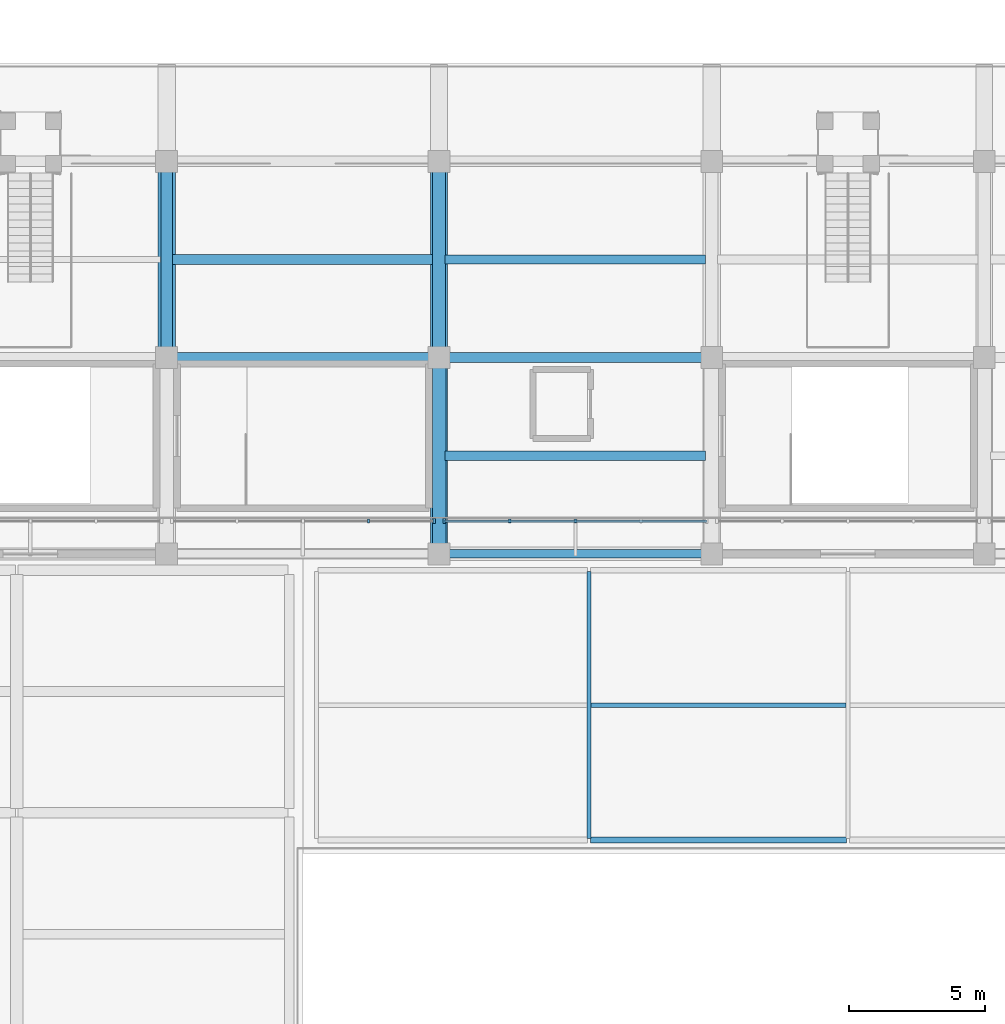
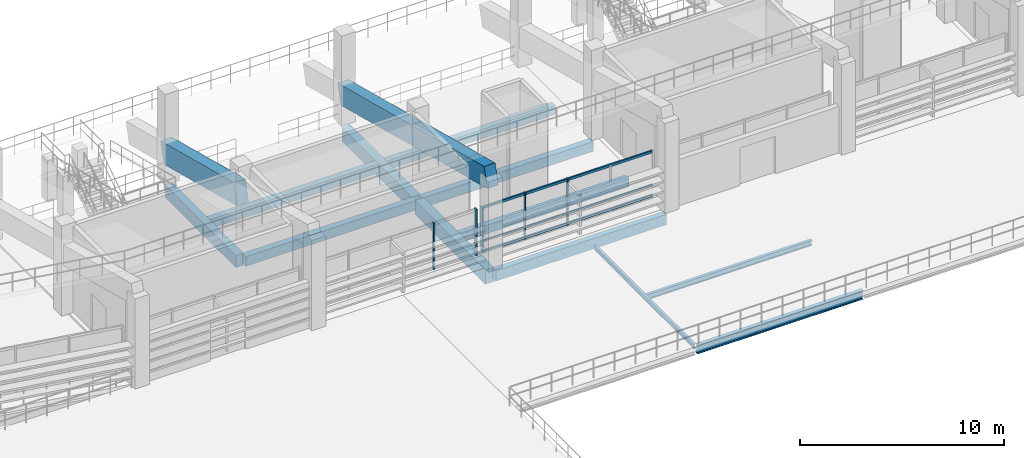
# One storey, part 14 of 96: 15 beams, 8 members, 2 elements without a shape of their own.
"""IFC4 building model written with IfcOpenShell, lengths in metres."""

from ifc_helpers import new_model, si_unit, direction, frame, origin, origin_2d, place, context, subcontext, project, spatial, rectangle, i_section, extrude, material, material_profile, profile_set, type_object, element, aggregate, save


model = new_model("IFC4")

# Units and contexts
model_context = context("Model", 3, precision=1e-05, world=origin(), true_north=direction((0.0, 1.0)))
body_context = subcontext(model_context, "Body", "Model", "MODEL_VIEW")
ifc_project = project(units=[si_unit("LENGTHUNIT", "METRE"), si_unit("AREAUNIT", "SQUARE_METRE"), si_unit("VOLUMEUNIT", "CUBIC_METRE"), si_unit("PLANEANGLEUNIT", "RADIAN"), si_unit("MASSUNIT", "GRAM", prefix="KILO")], contexts=[model_context])

# Site, building, storey
site_placement = place(None, origin())
site = spatial("IfcSite", under=ifc_project, at=site_placement, CompositionType="ELEMENT")
building_placement = place(site_placement, origin())
building = spatial("IfcBuilding", under=site, at=building_placement, Name="Candeia Ridge Stadium", CompositionType="ELEMENT")
storey_placement = place(building_placement, frame((0.0, 0.0, 21.60009765625)))
storey = spatial("IfcBuildingStorey", under=building, at=storey_placement, Name="L04", CompositionType="ELEMENT", Elevation=21.60009765625)

# Beams
ifc_material_1 = material(Name="Steel ASTM A572 Grade 50", Category="steel")
ifc_material_profile_1 = material_profile(ifc_material_1, i_section(OverallWidth=0.14794921875, OverallDepth=0.26611328125, WebThickness=0.007568359375, FlangeThickness=0.012939453125, FilletRadius=0.010986328125, at=origin_2d()), Name="W250x44.8", Category="steel")
ifc_profile_set_1 = profile_set([ifc_material_profile_1], Name="Steel ASTM A572 Grade 50")
beam_type_1 = type_object("IfcBeamType", Name="Canopy Edge Spandrel W250x44.8", PredefinedType="SPANDREL", material=ifc_profile_set_1)
beam_1_placement = place(storey_placement, frame((96.5, 8.550048828125, -0.403076171875), z_axis=(0.0, 1.0, 0.0), x_axis=(-1.0, 0.0, 0.0)))
element("IfcBeam", 1, at=beam_1_placement, inside=storey, type_object=beam_type_1, Name="Structural girder BM-L04-2529", PredefinedType="SPANDREL", context=body_context, shape_type="SweptSolid", body=[
    extrude(i_section(OverallWidth=0.14794921875, OverallDepth=0.26611328125, WebThickness=0.007568359375, FlangeThickness=0.012939453125, FilletRadius=0.010986328125, at=origin_2d()), origin(), (0.0, 0.0, 1.0), 9.800048828125),
])
ifc_material_2 = material(Name="Concrete C40/50", Category="concrete")
ifc_material_profile_2 = material_profile(ifc_material_2, rectangle(XDim=0.35009765625, YDim=0.550048828125, at=origin_2d()), Name="RC350x550", Category="concrete")
ifc_profile_set_2 = profile_set([ifc_material_profile_2], Name="Concrete C40/50")
beam_type_2 = type_object("IfcBeamType", Name="Concourse Concrete Joist RC350x550", PredefinedType="JOIST", material=ifc_profile_set_2)
beam_2_placement = place(storey_placement, frame((81.221923828125, 29.800048828125, -0.53515625), z_axis=(1.0, 0.0, 0.0), x_axis=(0.0, 1.0, 0.0)))
element("IfcBeam", 2, at=beam_2_placement, inside=storey, type_object=beam_type_2, Name="Concourse secondary joist BM-L04-0885", PredefinedType="JOIST", context=body_context, shape_type="SweptSolid", body=[
    extrude(rectangle(XDim=0.35009765625, YDim=0.550048828125, at=origin_2d()), origin(), (0.0, 0.0, 1.0), 9.55615234375),
])

# Curtain wall, member
ifc_material_3 = material(Name="Aluminium Anodized Warm Bronze", Category="aluminium")
curtain_wall_type = type_object("IfcCurtainWallType", Name="Concourse Recessed Unitised Curtain Wall", PredefinedType="NOTDEFINED", material=ifc_material_3)
curtain_wall_1_placement = place(storey_placement, origin())
curtain_wall_1 = element("IfcCurtainWall", 3, at=curtain_wall_1_placement, inside=storey, type_object=curtain_wall_type, Name="Unitised curtain wall CW-BWL-L04-19", PredefinedType="NOTDEFINED")
ifc_material_profile_3 = material_profile(ifc_material_3, rectangle(XDim=0.090087890625, YDim=0.179931640625, at=origin_2d()), Name="CWM-90x180", Category="aluminium")
ifc_profile_set_3 = profile_set([ifc_material_profile_3], Name="Aluminium Anodized Warm Bronze")
member_type_1 = type_object("IfcMemberType", Name="Curtain Wall Primary Mullion 90x180", PredefinedType="MULLION", material=ifc_profile_set_3)
member_1_placement = place(storey_placement, frame((90.820068359375, 20.199951171875, 0.0), z_axis=(0.0, 0.0, 1.0), x_axis=(1.0, 0.0, 0.0)))
member_1 = element("IfcMember", 4, at=member_1_placement, type_object=member_type_1, Name="Curtain wall mullion CW-BWL-L04-19-M4", PredefinedType="MULLION", context=body_context, shape_type="SweptSolid", body=[
    extrude(rectangle(XDim=0.090087890625, YDim=0.179931640625, at=origin_2d()), origin(), (0.0, 0.0, 1.0), 2.772216796875),
])

curtain_wall_2_placement = place(storey_placement, origin())
curtain_wall_2 = element("IfcCurtainWall", 5, at=curtain_wall_2_placement, inside=storey, type_object=curtain_wall_type, Name="Unitised curtain wall CW-BWL-L04-20", PredefinedType="NOTDEFINED")
member_2_placement = place(storey_placement, frame((91.179931640625, 20.199951171875, 0.0), z_axis=(0.0, 0.0, 1.0), x_axis=(1.0, 0.0, 0.0)))
member_2 = element("IfcMember", 6, at=member_2_placement, type_object=member_type_1, Name="Curtain wall mullion CW-BWL-L04-20-M0", PredefinedType="MULLION", context=body_context, shape_type="SweptSolid", body=[
    extrude(rectangle(XDim=0.090087890625, YDim=0.179931640625, at=origin_2d()), origin(), (0.0, 0.0, 1.0), 2.772216796875),
])

# Member
ifc_material_profile_4 = material_profile(ifc_material_3, rectangle(XDim=0.074951171875, YDim=0.14990234375, at=origin_2d()), Name="CWM-75x150", Category="aluminium")
ifc_profile_set_4 = profile_set([ifc_material_profile_4], Name="Aluminium Anodized Warm Bronze")
member_type_2 = type_object("IfcMemberType", Name="Curtain Wall Secondary Mullion 75x150", PredefinedType="MULLION", material=ifc_profile_set_4)
member_3_placement = place(storey_placement, frame((88.409912109375, 20.199951171875, 0.0), z_axis=(0.0, 0.0, 1.0), x_axis=(1.0, 0.0, 0.0)))
member_3 = element("IfcMember", 7, at=member_3_placement, type_object=member_type_2, Name="Curtain wall mullion CW-BWL-L04-19-M3", PredefinedType="MULLION", context=body_context, shape_type="SweptSolid", body=[
    extrude(rectangle(XDim=0.074951171875, YDim=0.14990234375, at=origin_2d()), origin(), (0.0, 0.0, 1.0), 2.772216796875),
])

aggregate(curtain_wall_1, [member_3, member_1])

member_4_placement = place(storey_placement, frame((93.590087890625, 20.199951171875, 0.0), z_axis=(0.0, 0.0, 1.0), x_axis=(1.0, 0.0, 0.0)))
member_4 = element("IfcMember", 8, at=member_4_placement, type_object=member_type_2, Name="Curtain wall mullion CW-BWL-L04-20-M1", PredefinedType="MULLION", context=body_context, shape_type="SweptSolid", body=[
    extrude(rectangle(XDim=0.074951171875, YDim=0.14990234375, at=origin_2d()), origin(), (0.0, 0.0, 1.0), 2.772216796875),
])

member_5_placement = place(storey_placement, frame((96.0, 20.199951171875, 0.0), z_axis=(0.0, 0.0, 1.0), x_axis=(1.0, 0.0, 0.0)))
member_5 = element("IfcMember", 9, at=member_5_placement, type_object=member_type_2, Name="Curtain wall mullion CW-BWL-L04-20-M2", PredefinedType="MULLION", context=body_context, shape_type="SweptSolid", body=[
    extrude(rectangle(XDim=0.074951171875, YDim=0.14990234375, at=origin_2d()), origin(), (0.0, 0.0, 1.0), 2.772216796875),
])

ifc_material_profile_5 = material_profile(ifc_material_3, rectangle(XDim=0.074951171875, YDim=0.110107421875, at=origin_2d()), Name="CWT-75x110", Category="aluminium")
ifc_profile_set_5 = profile_set([ifc_material_profile_5], Name="Aluminium Anodized Warm Bronze")
member_type_3 = type_object("IfcMemberType", Name="Curtain Wall Secondary Transom 75x110", PredefinedType="USERDEFINED", material=ifc_profile_set_5)
member_6_placement = place(storey_placement, frame((91.179931640625, 20.199951171875, 0.693115234375), z_axis=(1.0, 0.0, 0.0), x_axis=(0.0, 1.0, 0.0)))
member_6 = element("IfcMember", 10, at=member_6_placement, type_object=member_type_3, Name="Curtain wall transom CW-BWL-L04-20-T1", ObjectType="TRANSOM", PredefinedType="USERDEFINED", context=body_context, shape_type="SweptSolid", body=[
    extrude(rectangle(XDim=0.074951171875, YDim=0.110107421875, at=origin_2d()), origin(), (0.0, 0.0, 1.0), 9.64013671875),
])

ifc_material_profile_6 = material_profile(ifc_material_3, rectangle(XDim=0.090087890625, YDim=0.139892578125, at=origin_2d()), Name="CWT-90x140", Category="aluminium")
ifc_profile_set_6 = profile_set([ifc_material_profile_6], Name="Aluminium Anodized Warm Bronze")
member_type_4 = type_object("IfcMemberType", Name="Curtain Wall Transom 90x140", PredefinedType="USERDEFINED", material=ifc_profile_set_6)
member_7_placement = place(storey_placement, frame((91.179931640625, 20.199951171875, 0.06982421875), z_axis=(1.0, 0.0, 0.0), x_axis=(0.0, 1.0, 0.0)))
member_7 = element("IfcMember", 11, at=member_7_placement, type_object=member_type_4, Name="Curtain wall transom CW-BWL-L04-20-T0", ObjectType="TRANSOM", PredefinedType="USERDEFINED", context=body_context, shape_type="SweptSolid", body=[
    extrude(rectangle(XDim=0.090087890625, YDim=0.139892578125, at=origin_2d()), origin(), (0.0, 0.0, 1.0), 9.64013671875),
])

member_8_placement = place(storey_placement, frame((91.179931640625, 20.199951171875, 2.7021484375), z_axis=(1.0, 0.0, 0.0), x_axis=(0.0, 1.0, 0.0)))
member_8 = element("IfcMember", 12, at=member_8_placement, type_object=member_type_4, Name="Curtain wall transom CW-BWL-L04-20-T2", ObjectType="TRANSOM", PredefinedType="USERDEFINED", context=body_context, shape_type="SweptSolid", body=[
    extrude(rectangle(XDim=0.090087890625, YDim=0.139892578125, at=origin_2d()), origin(), (0.0, 0.0, 1.0), 9.64013671875),
])

aggregate(curtain_wall_2, [member_2, member_4, member_5, member_7, member_6, member_8])

# Beams
ifc_material_profile_7 = material_profile(ifc_material_2, rectangle(XDim=0.340087890625, YDim=0.5400390625, at=origin_2d()), Name="RC340x540", Category="concrete")
ifc_profile_set_7 = profile_set([ifc_material_profile_7], Name="Concrete C40/50")
beam_type_3 = type_object("IfcBeamType", Name="Floor Joist RC340x540", PredefinedType="JOIST", material=ifc_profile_set_7)
beam_3_placement = place(storey_placement, frame((91.221923828125, 29.800048828125, -0.530029296875), z_axis=(1.0, 0.0, 0.0), x_axis=(0.0, 1.0, 0.0)))
element("IfcBeam", 13, at=beam_3_placement, inside=storey, type_object=beam_type_3, Name="Concourse secondary joist BM-L04-0889", PredefinedType="JOIST", context=body_context, shape_type="SweptSolid", body=[
    extrude(rectangle(XDim=0.340087890625, YDim=0.5400390625, at=origin_2d()), origin(), (0.0, 0.0, 1.0), 9.55615234375),
])
ifc_material_profile_8 = material_profile(ifc_material_2, rectangle(XDim=0.35009765625, YDim=0.5, at=origin_2d()), Name="RC350x500", Category="concrete")
ifc_profile_set_8 = profile_set([ifc_material_profile_8], Name="Concrete C40/50")
beam_type_4 = type_object("IfcBeamType", Name="Floor Joist RC350x500", PredefinedType="JOIST", material=ifc_profile_set_8)
beam_4_placement = place(storey_placement, frame((91.221923828125, 22.60009765625, -0.510009765625), z_axis=(1.0, 0.0, 0.0), x_axis=(0.0, 1.0, 0.0)))
element("IfcBeam", 14, at=beam_4_placement, inside=storey, type_object=beam_type_4, Name="Concourse secondary joist BM-L04-0890", PredefinedType="JOIST", context=body_context, shape_type="SweptSolid", body=[
    extrude(rectangle(XDim=0.35009765625, YDim=0.5, at=origin_2d()), origin(), (0.0, 0.0, 1.0), 9.55615234375),
])
ifc_material_profile_9 = material_profile(ifc_material_2, rectangle(XDim=0.360107421875, YDim=0.580078125, at=origin_2d()), Name="RC360x580", Category="concrete")
ifc_profile_set_9 = profile_set([ifc_material_profile_9], Name="Concrete C40/50")
beam_type_5 = type_object("IfcBeamType", Name="Frame Girder RC360x580", PredefinedType="BEAM", material=ifc_profile_set_9)
for number, where, z_axis, x_axis, name in (
    (15, (81.159912109375, 26.199951171875, -0.550048828125), (1.0, 0.0, 0.0), (0.0, 1.0, 0.0), "Concourse spine girder BM-L04-0883"),
    (16, (91.159912109375, 26.199951171875, -0.550048828125), (1.0, 0.0, 0.0), (0.0, 1.0, 0.0), "Concourse spine girder BM-L04-0887"),
):
    element("IfcBeam", number, at=place(storey_placement, frame(where, z_axis=z_axis, x_axis=x_axis)), inside=storey, type_object=beam_type_5, Name=name, PredefinedType="BEAM", context=body_context, shape_type="SweptSolid", body=[
        extrude(rectangle(XDim=0.360107421875, YDim=0.580078125, at=origin_2d()), origin(), (0.0, 0.0, 1.0), 9.68017578125),
    ])
ifc_material_profile_10 = material_profile(ifc_material_2, rectangle(XDim=0.429931640625, YDim=0.739990234375, at=origin_2d()), Name="RC430x740", Category="concrete")
ifc_profile_set_10 = profile_set([ifc_material_profile_10], Name="Concrete C40/50")
beam_type_6 = type_object("IfcBeamType", Name="Frame Girder RC430x740", PredefinedType="BEAM", material=ifc_profile_set_10)
beam_5_placement = place(storey_placement, frame((81.0, 33.239990234375, -0.630126953125), z_axis=(0.0, -1.0, 0.0), x_axis=(1.0, 0.0, 0.0)))
element("IfcBeam", 17, at=beam_5_placement, inside=storey, type_object=beam_type_6, Name="Bowl radial girder BM-L04-0759", PredefinedType="BEAM", context=body_context, shape_type="SweptSolid", body=[
    extrude(rectangle(XDim=0.429931640625, YDim=0.739990234375, at=origin_2d()), origin(), (0.0, 0.0, 1.0), 6.8798828125),
])
ifc_material_4 = material(Name="Concrete C45/55", Category="concrete")
ifc_material_profile_11 = material_profile(ifc_material_4, rectangle(XDim=0.47998046875, YDim=0.820068359375, at=origin_2d()), Name="RC480x820", Category="concrete")
ifc_profile_set_11 = profile_set([ifc_material_profile_11], Name="Concrete C45/55")
beam_type_7 = type_object("IfcBeamType", Name="Frame Girder RC480x820", PredefinedType="BEAM", material=ifc_profile_set_11)
beam_6_placement = place(storey_placement, frame((91.0, 33.239990234375, -0.670166015625), z_axis=(0.0, -1.0, 0.0), x_axis=(1.0, 0.0, 0.0)))
element("IfcBeam", 18, at=beam_6_placement, inside=storey, type_object=beam_type_7, Name="Bowl radial girder BM-L04-0761", PredefinedType="BEAM", context=body_context, shape_type="SweptSolid", body=[
    extrude(rectangle(XDim=0.47998046875, YDim=0.820068359375, at=origin_2d()), origin(), (0.0, 0.0, 1.0), 6.8798828125),
])
ifc_material_profile_12 = material_profile(ifc_material_4, rectangle(XDim=0.5, YDim=0.85009765625, at=origin_2d()), Name="RC500x850", Category="concrete")
ifc_profile_set_12 = profile_set([ifc_material_profile_12], Name="Concrete C45/55")
beam_type_8 = type_object("IfcBeamType", Name="Frame Girder RC500x850", PredefinedType="BEAM", material=ifc_profile_set_12)
beam_7_placement = place(storey_placement, frame((91.0, 26.0400390625, -0.68505859375), z_axis=(0.0, -1.0, 0.0), x_axis=(1.0, 0.0, 0.0)))
element("IfcBeam", 19, at=beam_7_placement, inside=storey, type_object=beam_type_8, Name="Bowl radial girder BM-L04-0762", PredefinedType="BEAM", context=body_context, shape_type="SweptSolid", body=[
    extrude(rectangle(XDim=0.5, YDim=0.85009765625, at=origin_2d()), origin(), (0.0, 0.0, 1.0), 6.880126953125),
])
ifc_material_profile_13 = material_profile(ifc_material_1, i_section(OverallWidth=0.208984375, OverallDepth=0.532958984375, WebThickness=0.01025390625, FlangeThickness=0.015625, FilletRadius=0.013916015625, at=origin_2d()), Name="W530x92", Category="steel")
ifc_profile_set_13 = profile_set([ifc_material_profile_13], Name="Steel ASTM A572 Grade 50")
beam_type_9 = type_object("IfcBeamType", Name="Gate Portal Girder W530x92", PredefinedType="BEAM", material=ifc_profile_set_13)
beam_8_placement = place(storey_placement, frame((96.550048828125, 8.5, -0.53662109375), z_axis=(1.0, 0.0, 0.0), x_axis=(0.0, 1.0, 0.0)))
element("IfcBeam", 20, at=beam_8_placement, inside=storey, type_object=beam_type_9, Name="Structural girder BM-L04-2536", PredefinedType="BEAM", context=body_context, shape_type="SweptSolid", body=[
    extrude(i_section(OverallWidth=0.208984375, OverallDepth=0.532958984375, WebThickness=0.01025390625, FlangeThickness=0.015625, FilletRadius=0.013916015625, at=origin_2d()), origin(), (0.0, 0.0, 1.0), 9.39990234375),
])
ifc_material_profile_14 = material_profile(ifc_material_1, i_section(OverallWidth=0.1669921875, OverallDepth=0.31689453125, WebThickness=0.007568359375, FlangeThickness=0.01318359375, FilletRadius=0.011962890625, at=origin_2d()), Name="W310x52", Category="steel")
ifc_profile_set_14 = profile_set([ifc_material_profile_14], Name="Steel ASTM A572 Grade 50")
beam_type_10 = type_object("IfcBeamType", Name="Pavilion Secondary Joist W310x52", PredefinedType="JOIST", material=ifc_profile_set_14)
beam_9_placement = place(storey_placement, frame((96.573486328125, 13.449951171875, -0.4287109375), z_axis=(1.0, 0.0, 0.0), x_axis=(0.0, 1.0, 0.0)))
element("IfcBeam", 21, at=beam_9_placement, inside=storey, type_object=beam_type_10, Name="Wing secondary joist BM-L04-2537", PredefinedType="JOIST", context=body_context, shape_type="SweptSolid", body=[
    extrude(i_section(OverallWidth=0.1669921875, OverallDepth=0.31689453125, WebThickness=0.007568359375, FlangeThickness=0.01318359375, FilletRadius=0.011962890625, at=origin_2d()), origin(), (0.0, 0.0, 1.0), 9.35302734375),
])
ifc_material_profile_15 = material_profile(ifc_material_2, rectangle(XDim=0.320068359375, YDim=0.6201171875, at=origin_2d()), Name="RC320x620", Category="concrete")
ifc_profile_set_15 = profile_set([ifc_material_profile_15], Name="Concrete C40/50")
beam_type_11 = type_object("IfcBeamType", Name="Spandrel Beam RC320x620", PredefinedType="SPANDREL", material=ifc_profile_set_15)
beam_10_placement = place(storey_placement, frame((91.159912109375, 19.0, -0.570068359375), z_axis=(1.0, 0.0, 0.0), x_axis=(0.0, 1.0, 0.0)))
element("IfcBeam", 22, at=beam_10_placement, inside=storey, type_object=beam_type_11, Name="Bowl perimeter spandrel BM-L04-0888", PredefinedType="SPANDREL", context=body_context, shape_type="SweptSolid", body=[
    extrude(rectangle(XDim=0.320068359375, YDim=0.6201171875, at=origin_2d()), origin(), (0.0, 0.0, 1.0), 9.68017578125),
])
ifc_material_profile_16 = material_profile(ifc_material_4, rectangle(XDim=0.6201171875, YDim=1.179931640625, at=origin_2d()), Name="RC620x1180", Category="concrete")
ifc_profile_set_16 = profile_set([ifc_material_profile_16], Name="Concrete C45/55")
beam_type_12 = type_object("IfcBeamType", Name="Stand Raker Beam RC620x1180", PredefinedType="USERDEFINED", material=ifc_profile_set_16)
beam_11_placement = place(storey_placement, frame((91.0, 33.39990234375, 1.66796875), z_axis=(0.0, -0.968083084121, 0.250629491956), x_axis=(1.0, 0.0, 0.0)))
element("IfcBeam", 23, at=beam_11_placement, inside=storey, type_object=beam_type_12, Name="Stand T3 inner raker beam 21", ObjectType="RAKER", PredefinedType="USERDEFINED", context=body_context, shape_type="SweptSolid", body=[
    extrude(rectangle(XDim=0.6201171875, YDim=1.179931640625, at=origin_2d()), origin(), (0.0, 0.0, 1.0), 7.437255859375),
])
beam_12_placement = place(storey_placement, frame((91.0, 26.199951171875, 3.531982421875), z_axis=(0.0, -0.968067153083, 0.250691019229), x_axis=(1.0, 0.0, 0.0)))
element("IfcBeam", 24, at=beam_12_placement, inside=storey, type_object=beam_type_12, Name="Stand T3 outer raker beam 21", ObjectType="RAKER", PredefinedType="USERDEFINED", context=body_context, shape_type="SweptSolid", body=[
    extrude(rectangle(XDim=0.6201171875, YDim=1.179931640625, at=origin_2d()), origin(), (0.0, 0.0, 1.0), 7.4375),
])
ifc_material_profile_17 = material_profile(ifc_material_4, rectangle(XDim=0.64990234375, YDim=1.25, at=origin_2d()), Name="RC650x1250", Category="concrete")
ifc_profile_set_17 = profile_set([ifc_material_profile_17], Name="Concrete C45/55")
beam_type_13 = type_object("IfcBeamType", Name="Stand Raker Beam RC650x1250", PredefinedType="USERDEFINED", material=ifc_profile_set_17)
beam_13_placement = place(storey_placement, frame((81.0, 33.39990234375, 1.66796875), z_axis=(0.0, -0.968083084121, 0.250629491956), x_axis=(1.0, 0.0, 0.0)))
element("IfcBeam", 25, at=beam_13_placement, inside=storey, type_object=beam_type_13, Name="Stand T3 inner raker beam 20", ObjectType="RAKER", PredefinedType="USERDEFINED", context=body_context, shape_type="SweptSolid", body=[
    extrude(rectangle(XDim=0.64990234375, YDim=1.25, at=origin_2d()), origin(), (0.0, 0.0, 1.0), 7.437255859375),
])

save(model, "model.ifc")
